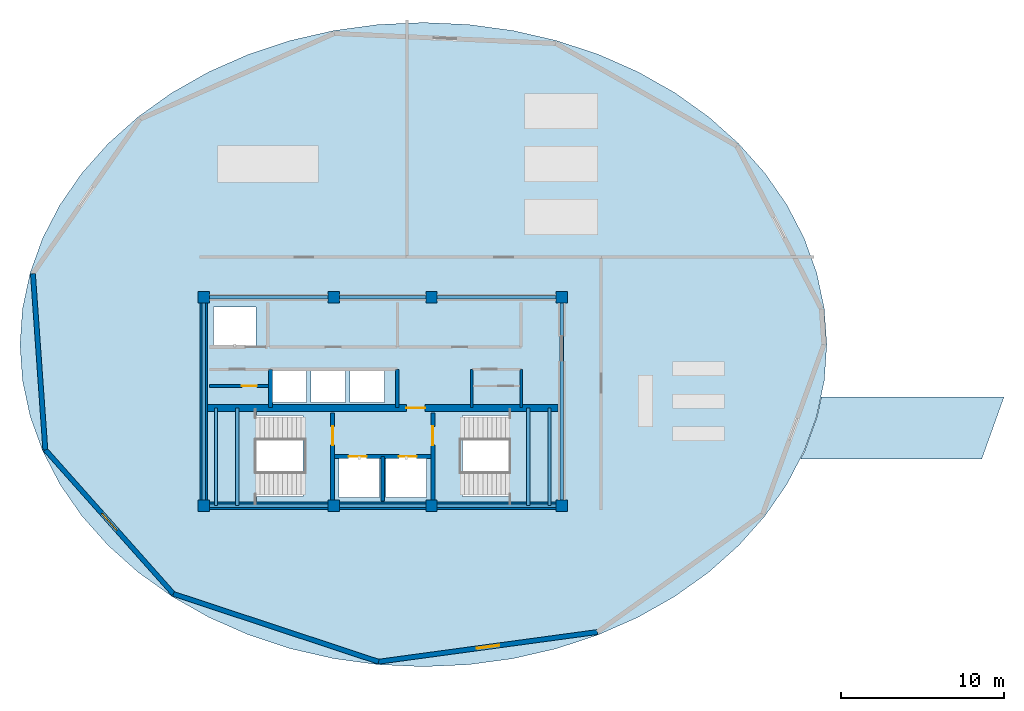
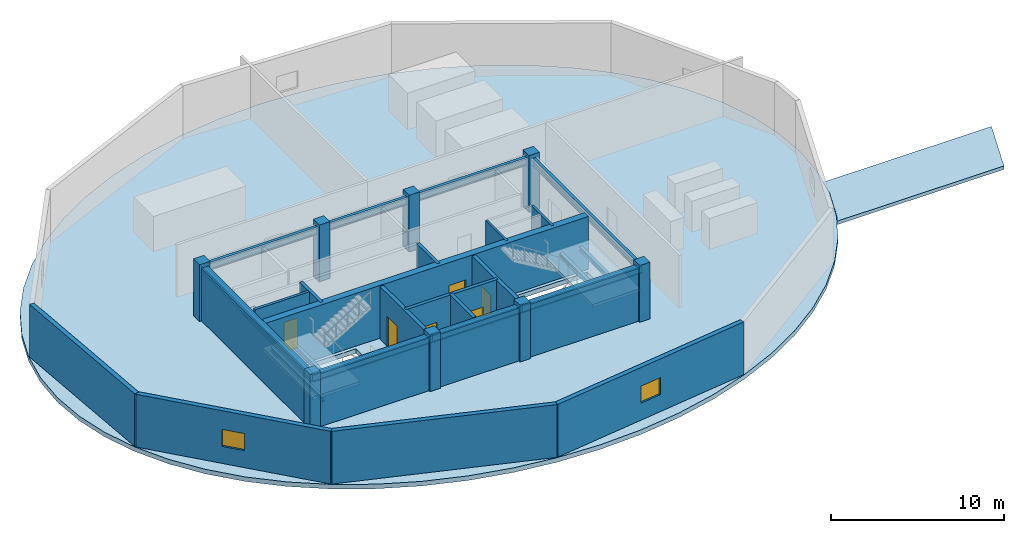
# One storey, part 1 of 5: 16 walls, 12 beams, 8 columns, 6 doors, 4 slabs, 2 windows, 8 openings, 2 elements without a shape of their own.
"""IFC4 building model written with IfcOpenShell, lengths in metres."""

from ifc_helpers import new_model, si_unit, direction, frame, frame_2d, origin, origin_2d, place, context, subcontext, project, spatial, polyline, rectangle, i_section, outline, extrude, material, layer, layer_set, material_profile, profile_set, type_object, element, fill, aggregate, save


model = new_model("IFC4")

# Units and contexts
model_context = context("Model", 3, precision=1e-05, world=origin(), true_north=direction((0.0, 1.0)))
body_context = subcontext(model_context, "Body", "Model", "MODEL_VIEW")
ifc_project = project(units=[si_unit("LENGTHUNIT", "METRE"), si_unit("AREAUNIT", "SQUARE_METRE"), si_unit("VOLUMEUNIT", "CUBIC_METRE"), si_unit("PLANEANGLEUNIT", "RADIAN"), si_unit("MASSUNIT", "GRAM", prefix="KILO")], contexts=[model_context])

# Site, building, storey
site_placement = place(None, origin())
site = spatial("IfcSite", under=ifc_project, at=site_placement, CompositionType="ELEMENT")
building_placement = place(site_placement, origin())
building = spatial("IfcBuilding", under=site, at=building_placement, Name="Kazevale Care Tower and Concert Hall", CompositionType="ELEMENT")
storey_placement = place(building_placement, frame((0.0, 0.0, 292.800048828125)))
storey = spatial("IfcBuildingStorey", under=building, at=storey_placement, Name="L77", CompositionType="ELEMENT", Elevation=292.800048828125)

# Columns
ifc_material_1 = material(Name="Concrete C50", Category="concrete")
ifc_material_profile_1 = material_profile(ifc_material_1, rectangle(XDim=0.699951171875, YDim=0.699951171875, at=origin_2d()), Name="RC-SQ700")
ifc_profile_set_1 = profile_set([ifc_material_profile_1], Name="Concrete C50")
column_type = type_object("IfcColumnType", Name="Core Column SQ700 C50", PredefinedType="COLUMN", material=ifc_profile_set_1)
for number, where, z_axis, x_axis, name in (
    (1, (22.0, 23.60009765625, 0.0), (0.0, 0.0, 1.0), (1.0, 0.0, 0.0), "col:L77:CC-01"),
    (2, (30.0, 23.60009765625, 0.0), (0.0, 0.0, 1.0), (1.0, 0.0, 0.0), "col:L77:CC-02"),
    (3, (36.0, 23.60009765625, 0.0), (0.0, 0.0, 1.0), (1.0, 0.0, 0.0), "col:L77:CC-03"),
    (4, (44.0, 23.60009765625, 0.0), (0.0, 0.0, 1.0), (1.0, 0.0, 0.0), "col:L77:CC-04"),
    (5, (44.0, 36.39990234375, 0.0), (0.0, 0.0, 1.0), (1.0, 0.0, 0.0), "col:L77:CC-05"),
    (6, (36.0, 36.39990234375, 0.0), (0.0, 0.0, 1.0), (1.0, 0.0, 0.0), "col:L77:CC-06"),
    (7, (30.0, 36.39990234375, 0.0), (0.0, 0.0, 1.0), (1.0, 0.0, 0.0), "col:L77:CC-07"),
    (8, (22.0, 36.39990234375, 0.0), (0.0, 0.0, 1.0), (1.0, 0.0, 0.0), "col:L77:CC-08"),
):
    element("IfcColumn", number, at=place(storey_placement, frame(where, z_axis=z_axis, x_axis=x_axis)), inside=storey, type_object=column_type, Name=name, PredefinedType="COLUMN", context=body_context, shape_type="SweptSolid", body=[
        extrude(rectangle(XDim=0.699951171875, YDim=0.699951171875, at=origin_2d()), origin(), (0.0, 0.0, 1.0), 4.0),
    ])

# Beams
ifc_material_2 = material(Name="Steel ASTM A572 Gr 50", Category="steel")
ifc_material_profile_2 = material_profile(ifc_material_2, i_section(OverallWidth=0.202880859375, OverallDepth=0.302978515625, WebThickness=0.007568359375, FlangeThickness=0.01318359375, at=origin_2d()), Name="W310x60")
ifc_profile_set_2 = profile_set([ifc_material_profile_2], Name="Steel ASTM A572 Gr 50")
beam_type_1 = type_object("IfcBeamType", Name="Stair & Balcony Trimmer W310x60", PredefinedType="BEAM", material=ifc_profile_set_2)
for number, where, z_axis, x_axis, name in (
    (9, (22.75, 23.60009765625, 1.6484375), (0.0, 1.0, 0.0), (-1.0, 0.0, 0.0), "beam:L77:sttrim:ST1"),
    (10, (24.050048828125, 23.60009765625, 1.6484375), (0.0, 1.0, 0.0), (-1.0, 0.0, 0.0), "beam:L77:sttrim:ST1b"),
    (11, (41.949951171875, 23.60009765625, 1.6484375), (0.0, 1.0, 0.0), (-1.0, 0.0, 0.0), "beam:L77:sttrim:ST2"),
    (12, (43.25, 23.60009765625, 1.6484375), (0.0, 1.0, 0.0), (-1.0, 0.0, 0.0), "beam:L77:sttrim:ST2b"),
):
    element("IfcBeam", number, at=place(storey_placement, frame(where, z_axis=z_axis, x_axis=x_axis)), inside=storey, type_object=beam_type_1, Name=name, PredefinedType="BEAM", context=body_context, shape_type="SweptSolid", body=[
        extrude(i_section(OverallWidth=0.202880859375, OverallDepth=0.302978515625, WebThickness=0.007568359375, FlangeThickness=0.01318359375, at=origin_2d()), origin(), (0.0, 0.0, 1.0), 6.0),
    ])
ifc_material_profile_3 = material_profile(ifc_material_2, i_section(OverallWidth=0.208984375, OverallDepth=0.532958984375, WebThickness=0.01025390625, FlangeThickness=0.015625, at=origin_2d()), Name="W530x92")
ifc_profile_set_3 = profile_set([ifc_material_profile_3], Name="Steel ASTM A572 Gr 50")
beam_type_2 = type_object("IfcBeamType", Name="Upper Ring Beam W530x92", PredefinedType="BEAM", material=ifc_profile_set_3)
beam_1_placement = place(storey_placement, frame((22.0, 23.60009765625, 3.453369140625), z_axis=(1.0, 0.0, 0.0), x_axis=(0.0, 1.0, 0.0)))
element("IfcBeam", 13, at=beam_1_placement, inside=storey, type_object=beam_type_2, Name="beam:L77:drum:1", PredefinedType="BEAM", context=body_context, shape_type="SweptSolid", body=[
    extrude(i_section(OverallWidth=0.208984375, OverallDepth=0.532958984375, WebThickness=0.01025390625, FlangeThickness=0.015625, at=origin_2d()), origin(), (0.0, 0.0, 1.0), 8.0),
])
beam_2_placement = place(storey_placement, frame((30.0, 23.60009765625, 3.453369140625), z_axis=(1.0, 0.0, 0.0), x_axis=(0.0, 1.0, 0.0)))
element("IfcBeam", 14, at=beam_2_placement, inside=storey, type_object=beam_type_2, Name="beam:L77:drum:2", PredefinedType="BEAM", context=body_context, shape_type="SweptSolid", body=[
    extrude(i_section(OverallWidth=0.208984375, OverallDepth=0.532958984375, WebThickness=0.01025390625, FlangeThickness=0.015625, at=origin_2d()), origin(), (0.0, 0.0, 1.0), 6.0),
])
beam_3_placement = place(storey_placement, frame((36.0, 23.60009765625, 3.453369140625), z_axis=(1.0, 0.0, 0.0), x_axis=(0.0, 1.0, 0.0)))
element("IfcBeam", 15, at=beam_3_placement, inside=storey, type_object=beam_type_2, Name="beam:L77:drum:3", PredefinedType="BEAM", context=body_context, shape_type="SweptSolid", body=[
    extrude(i_section(OverallWidth=0.208984375, OverallDepth=0.532958984375, WebThickness=0.01025390625, FlangeThickness=0.015625, at=origin_2d()), origin(), (0.0, 0.0, 1.0), 8.0),
])
beam_4_placement = place(storey_placement, frame((44.0, 23.60009765625, 3.453369140625), z_axis=(0.0, 1.0, 0.0), x_axis=(-1.0, 0.0, 0.0)))
element("IfcBeam", 16, at=beam_4_placement, inside=storey, type_object=beam_type_2, Name="beam:L77:drum:4", PredefinedType="BEAM", context=body_context, shape_type="SweptSolid", body=[
    extrude(i_section(OverallWidth=0.208984375, OverallDepth=0.532958984375, WebThickness=0.01025390625, FlangeThickness=0.015625, at=origin_2d()), origin(), (0.0, 0.0, 1.0), 12.7998046875),
])
beam_5_placement = place(storey_placement, frame((44.0, 36.39990234375, 3.453369140625), z_axis=(-1.0, 0.0, 0.0), x_axis=(0.0, -1.0, 0.0)))
element("IfcBeam", 17, at=beam_5_placement, inside=storey, type_object=beam_type_2, Name="beam:L77:drum:5", PredefinedType="BEAM", context=body_context, shape_type="SweptSolid", body=[
    extrude(i_section(OverallWidth=0.208984375, OverallDepth=0.532958984375, WebThickness=0.01025390625, FlangeThickness=0.015625, at=origin_2d()), origin(), (0.0, 0.0, 1.0), 8.0),
])
beam_6_placement = place(storey_placement, frame((36.0, 36.39990234375, 3.453369140625), z_axis=(-1.0, 0.0, 0.0), x_axis=(0.0, -1.0, 0.0)))
element("IfcBeam", 18, at=beam_6_placement, inside=storey, type_object=beam_type_2, Name="beam:L77:drum:6", PredefinedType="BEAM", context=body_context, shape_type="SweptSolid", body=[
    extrude(i_section(OverallWidth=0.208984375, OverallDepth=0.532958984375, WebThickness=0.01025390625, FlangeThickness=0.015625, at=origin_2d()), origin(), (0.0, 0.0, 1.0), 6.0),
])
beam_7_placement = place(storey_placement, frame((30.0, 36.39990234375, 3.453369140625), z_axis=(-1.0, 0.0, 0.0), x_axis=(0.0, -1.0, 0.0)))
element("IfcBeam", 19, at=beam_7_placement, inside=storey, type_object=beam_type_2, Name="beam:L77:drum:7", PredefinedType="BEAM", context=body_context, shape_type="SweptSolid", body=[
    extrude(i_section(OverallWidth=0.208984375, OverallDepth=0.532958984375, WebThickness=0.01025390625, FlangeThickness=0.015625, at=origin_2d()), origin(), (0.0, 0.0, 1.0), 8.0),
])
beam_8_placement = place(storey_placement, frame((22.0, 36.39990234375, 3.453369140625), z_axis=(0.0, -1.0, 0.0), x_axis=(1.0, 0.0, 0.0)))
element("IfcBeam", 20, at=beam_8_placement, inside=storey, type_object=beam_type_2, Name="beam:L77:drum:8", PredefinedType="BEAM", context=body_context, shape_type="SweptSolid", body=[
    extrude(i_section(OverallWidth=0.208984375, OverallDepth=0.532958984375, WebThickness=0.01025390625, FlangeThickness=0.015625, at=origin_2d()), origin(), (0.0, 0.0, 1.0), 12.7998046875),
])

# Slab
ifc_material_3 = material(Name="Concrete C40", Category="concrete")
ifc_layer_1 = layer(ifc_material_3, 0.239990234375)
ifc_layer_set_1 = layer_set([ifc_layer_1], Name="Concrete C40")
slab_type_1 = type_object("IfcSlabType", Name="Podium and Tower Roof Slab 240", PredefinedType="ROOF", material=ifc_layer_set_1)
slab_1_placement = place(storey_placement, frame((0.0, 0.0, -0.320068359375)))
element("IfcSlab", 21, at=slab_1_placement, inside=storey, type_object=slab_type_1, Name="slab:L77:roof_lobe:1", PredefinedType="ROOF", context=body_context, shape_type="SweptSolid", body=[
    extrude(outline(polyline([(71.193115234375, 30.280029296875), (59.9609375, 30.280029296875), (59.70703125, 29.0859375), (58.93603515625, 26.947998046875), (58.68798828125, 26.469970703125), (69.827880859375, 26.469970703125), (71.193115234375, 30.280029296875)])), origin(), (0.0, 0.0, 1.0), 0.239990234375),
])

# Stair, slab
stair_type = type_object("IfcStairType", Name="Exit Stair Assembly ST1-C", PredefinedType="HALF_TURN_STAIR", material=ifc_material_3)
stair_1_placement = place(storey_placement, origin())
stair_1 = element("IfcStair", 22, at=stair_1_placement, inside=storey, type_object=stair_type, Name="stair:L77:ST1", PredefinedType="HALF_TURN_STAIR")
ifc_layer_2 = layer(ifc_material_3, 0.199951171875)
ifc_layer_set_2 = layer_set([ifc_layer_2], Name="Concrete C40")
slab_type_2 = type_object("IfcSlabType", Name="Stair Half-Landing Slab ST1-C", PredefinedType="LANDING", material=ifc_layer_set_2)
slab_2_placement = place(storey_placement, frame((0.0, 0.0, 1.800048828125)))
slab_2 = element("IfcSlab", 23, at=slab_2_placement, type_object=slab_type_2, Name="ST1-C landing 1", PredefinedType="LANDING", context=body_context, shape_type="SweptSolid", body=[
    extrude(outline(polyline([(22.050048828125, 23.699951171875), (25.25, 23.699951171875), (25.25, 29.5), (22.050048828125, 29.5), (22.050048828125, 23.699951171875)])), origin(), (0.0, 0.0, 1.0), 0.199951171875),
])
aggregate(stair_1, [slab_2])

stair_2_placement = place(storey_placement, origin())
stair_2 = element("IfcStair", 24, at=stair_2_placement, inside=storey, type_object=stair_type, Name="stair:L77:ST2", PredefinedType="HALF_TURN_STAIR")
slab_3_placement = place(storey_placement, frame((0.0, 0.0, 1.800048828125)))
slab_3 = element("IfcSlab", 25, at=slab_3_placement, type_object=slab_type_2, Name="ST1-C landing 1", PredefinedType="LANDING", context=body_context, shape_type="SweptSolid", body=[
    extrude(outline(polyline([(40.75, 23.699951171875), (43.949951171875, 23.699951171875), (43.949951171875, 29.5), (40.75, 29.5), (40.75, 23.699951171875)])), origin(), (0.0, 0.0, 1.0), 0.199951171875),
])
aggregate(stair_2, [slab_3])

# Slab
ifc_layer_3 = layer(ifc_material_1, 0.320068359375)
ifc_layer_set_3 = layer_set([ifc_layer_3], Name="Concrete C50")
slab_type_3 = type_object("IfcSlabType", Name="Transfer & Refuge Floor Slab 320", PredefinedType="FLOOR", material=ifc_layer_set_3)
slab_4_placement = place(storey_placement, frame((0.0, 0.0, -0.320068359375)))
element("IfcSlab", 26, at=slab_4_placement, inside=storey, type_object=slab_type_3, Name="slab:L77:tw:1", PredefinedType="FLOOR", context=body_context, shape_type="SweptSolid", body=[
    extrude(outline(polyline([(60.300048828125, 33.5), (60.14404296875, 35.716796875), (59.67822265625, 37.906005859375), (58.908203125, 40.03955078125), (57.843994140625, 42.0908203125), (56.498779296875, 44.0341796875), (54.889404296875, 45.84521484375), (53.0361328125, 47.500732421875), (50.96240234375, 48.980224609375), (48.6943359375, 50.26513671875), (46.26025390625, 51.339111328125), (43.69091796875, 52.18896484375), (41.0185546875, 52.8037109375), (38.276611328125, 53.175537109375), (35.5, 53.300048828125), (32.723388671875, 53.175537109375), (29.9814453125, 52.8037109375), (27.30908203125, 52.18896484375), (24.73974609375, 51.339111328125), (22.3056640625, 50.26513671875), (20.03759765625, 48.980224609375), (17.9638671875, 47.500732421875), (16.110595703125, 45.84521484375), (14.501220703125, 44.0341796875), (13.156005859375, 42.0908203125), (12.091796875, 40.03955078125), (11.32177734375, 37.906005859375), (10.85595703125, 35.716796875), (10.699951171875, 33.5), (10.85595703125, 31.283203125), (11.32177734375, 29.093994140625), (12.091796875, 26.96044921875), (13.156005859375, 24.9091796875), (14.501220703125, 22.9658203125), (16.110595703125, 21.15478515625), (17.9638671875, 19.499267578125), (20.03759765625, 18.019775390625), (22.3056640625, 16.73486328125), (24.73974609375, 15.660888671875), (27.30908203125, 14.81103515625), (29.9814453125, 14.1962890625), (32.723388671875, 13.824462890625), (35.5, 13.699951171875), (38.276611328125, 13.824462890625), (41.0185546875, 14.1962890625), (43.69091796875, 14.81103515625), (46.26025390625, 15.660888671875), (48.6943359375, 16.73486328125), (50.96240234375, 18.019775390625), (53.0361328125, 19.499267578125), (54.889404296875, 21.15478515625), (56.498779296875, 22.9658203125), (57.843994140625, 24.9091796875), (58.908203125, 26.96044921875), (59.67822265625, 29.093994140625), (60.14404296875, 31.283203125), (60.300048828125, 33.5)]), holes=[polyline([(22.449951171875, 24.14990234375), (28.110107421875, 24.14990234375), (28.110107421875, 29.14990234375), (22.449951171875, 29.14990234375), (22.449951171875, 24.14990234375)]), polyline([(37.889892578125, 24.14990234375), (43.550048828125, 24.14990234375), (43.550048828125, 29.14990234375), (37.889892578125, 29.14990234375), (37.889892578125, 24.14990234375)]), polyline([(30.300048828125, 24.10009765625), (32.800048828125, 24.10009765625), (32.800048828125, 26.60009765625), (30.300048828125, 26.60009765625), (30.300048828125, 24.10009765625)]), polyline([(33.199951171875, 24.10009765625), (35.699951171875, 24.10009765625), (35.699951171875, 26.60009765625), (33.199951171875, 26.60009765625), (33.199951171875, 24.10009765625)]), polyline([(22.60009765625, 33.39990234375), (25.199951171875, 33.39990234375), (25.199951171875, 35.800048828125), (22.60009765625, 35.800048828125), (22.60009765625, 33.39990234375)]), polyline([(26.199951171875, 29.949951171875), (28.300048828125, 29.949951171875), (28.300048828125, 31.949951171875), (26.199951171875, 31.949951171875), (26.199951171875, 29.949951171875)]), polyline([(28.60009765625, 29.949951171875), (30.699951171875, 29.949951171875), (30.699951171875, 31.949951171875), (28.60009765625, 31.949951171875), (28.60009765625, 29.949951171875)]), polyline([(31.0, 29.949951171875), (33.10009765625, 29.949951171875), (33.10009765625, 31.949951171875), (31.0, 31.949951171875), (31.0, 29.949951171875)])]), origin(), (0.0, 0.0, 1.0), 0.320068359375),
])

# Walls
ifc_material_4 = material(Name="Acoustic Gypsum on Steel Stud", Category="steel")
ifc_layer_4 = layer(ifc_material_4, 0.139892578125)
ifc_layer_set_4 = layer_set([ifc_layer_4], Name="Acoustic Gypsum on Steel Stud")
wall_type_1 = type_object("IfcWallType", Name="Acoustic Care & Suite Partition 140", PredefinedType="PARTITIONING", material=ifc_layer_set_4)
for number, where, z_axis, x_axis, name in (
    (27, (38.47998046875, 29.6201171875, 0.0), (0.0, 0.0, 1.0), (0.0, 1.0, 0.0), "wall:L77:kc_ew"),
    (28, (41.52001953125, 29.6201171875, 0.0), (0.0, 0.0, 1.0), (0.0, 1.0, 0.0), "wall:L77:kc_ee"),
):
    element("IfcWall", number, at=place(storey_placement, frame(where, z_axis=z_axis, x_axis=x_axis)), inside=storey, type_object=wall_type_1, Name=name, PredefinedType="PARTITIONING", context=body_context, shape_type="SweptSolid", body=[
        extrude(rectangle(XDim=2.35986328125, YDim=0.139892578125, at=frame_2d((1.179931640625, 0.0))), origin(), (0.0, 0.0, 1.0), 3.719970703125),
    ])
ifc_layer_5 = layer(ifc_material_1, 0.449951171875)
ifc_layer_set_5 = layer_set([ifc_layer_5], Name="Concrete C50")
wall_type_2 = type_object("IfcWallType", Name="Core Shear Wall 450 C50", PredefinedType="SHEAR", material=ifc_layer_set_5)
wall_1_placement = place(storey_placement, frame((21.77490234375, 23.60009765625, 0.0), z_axis=(0.0, 0.0, 1.0), x_axis=(1.0, 0.0, 0.0)))
element("IfcWall", 29, at=wall_1_placement, inside=storey, type_object=wall_type_2, Name="wall:L77:core:S", PredefinedType="SHEAR", context=body_context, shape_type="SweptSolid", body=[
    extrude(rectangle(XDim=22.4501953125, YDim=0.449951171875, at=frame_2d((11.22509765625, 0.0))), origin(), (0.0, 0.0, 1.0), 3.719970703125),
])
wall_2_placement = place(storey_placement, frame((22.0, 23.824951171875, 0.0), z_axis=(0.0, 0.0, 1.0), x_axis=(0.0, 1.0, 0.0)))
element("IfcWall", 30, at=wall_2_placement, inside=storey, type_object=wall_type_2, Name="wall:L77:core:W", PredefinedType="SHEAR", context=body_context, shape_type="SweptSolid", body=[
    extrude(rectangle(XDim=12.35009765625, YDim=0.449951171875, at=frame_2d((6.175048828125, 0.0))), origin(), (0.0, 0.0, 1.0), 3.719970703125),
])

# Wall, opening, door
wall_3_placement = place(storey_placement, frame((22.22509765625, 29.60009765625, 0.0), z_axis=(0.0, 0.0, 1.0), x_axis=(1.0, 0.0, 0.0)))
wall_3 = element("IfcWall", 31, at=wall_3_placement, inside=storey, type_object=wall_type_2, Name="wall:L77:core:M", PredefinedType="SHEAR", context=body_context, shape_type="SweptSolid", body=[
    extrude(rectangle(XDim=21.5498046875, YDim=0.449951171875, at=frame_2d((10.77490234375, 0.0))), origin(), (0.0, 0.0, 1.0), 3.719970703125),
])
opening_1_placement = place(wall_3_placement, frame((12.22509765625, 0.0, 0.0)))
opening_1 = element("IfcOpeningElement", 32, at=opening_1_placement, cuts=wall_3, Name="Opening FD-90", PredefinedType="OPENING", context=body_context, shape_type="SweptSolid", body=[
    extrude(rectangle(XDim=1.14990234375, YDim=2.10009765625, at=frame_2d((0.574951171875, 1.050048828125))), frame((0.0, 0.23486328125, 0.0), z_axis=(0.0, -1.0, 0.0), x_axis=(1.0, 0.0, 0.0)), (0.0, 0.0, 1.0), 0.469970703125),
])
door_type_1 = type_object("IfcDoorType", Name="Pressurized Stair & Lobby Fire Door 1150x2100", OperationType="NOTDEFINED", PredefinedType="DOOR", material=ifc_material_2)
door_1_placement = place(opening_1_placement, origin())
door_1 = element("IfcDoor", 33, at=door_1_placement, inside=storey, type_object=door_type_1, Name="door:L77:ff_to_pax", OperationType="SINGLE_SWING_LEFT", OverallHeight=2.10009765625, OverallWidth=1.14990234375, PredefinedType="DOOR", context=body_context, shape_type="SweptSolid", body=[
    extrude(rectangle(XDim=1.14990234375, YDim=2.10009765625, at=frame_2d((0.574951171875, 1.050048828125))), frame((0.0, 0.02490234375, 0.0), z_axis=(0.0, -1.0, 0.0), x_axis=(1.0, 0.0, 0.0)), (0.0, 0.0, 1.0), 0.050048828125),
])
fill(opening_1, door_1)

# Wall, opening, window
ifc_material_5 = material(Name="Concrete C40 with Honed Limestone Cladding", Category="masonry")
ifc_layer_6 = layer(ifc_material_5, 0.300048828125)
ifc_layer_set_6 = layer_set([ifc_layer_6], Name="Concrete C40 with Honed Limestone Cladding")
wall_type_3 = type_object("IfcWallType", Name="Crown Drum Louvred Stone Wall 300", PredefinedType="STANDARD", material=ifc_layer_set_6)
wall_4_placement = place(storey_placement, frame((46.196044921875, 15.8291015625, 0.0), z_axis=(0.0, 0.0, 1.0), x_axis=(-0.990927056791, -0.134400774248, 0.0)))
wall_4 = element("IfcWall", 34, at=wall_4_placement, inside=storey, type_object=wall_type_3, Name="wall:L77:drum:03", PredefinedType="STANDARD", context=body_context, shape_type="SweptSolid", body=[
    extrude(rectangle(XDim=13.580322265625, YDim=0.300048828125, at=frame_2d((6.7900390625, 0.0))), origin(), (0.0, 0.0, 1.0), 3.719970703125),
])
opening_2_placement = place(wall_4_placement, frame((6.090087890625, 0.0, 1.199951171875)))
opening_2 = element("IfcOpeningElement", 35, at=opening_2_placement, cuts=wall_4, Name="Opening WIN-4", PredefinedType="OPENING", context=body_context, shape_type="SweptSolid", body=[
    extrude(rectangle(XDim=1.39990234375, YDim=1.199951171875, at=frame_2d((0.699951171875, 0.60009765625))), frame((0.0, 0.159912109375, 0.0), z_axis=(0.0, -1.0, 0.0), x_axis=(1.0, 0.0, 0.0)), (0.0, 0.0, 1.0), 0.320068359375),
])
ifc_material_6 = material(Name="Aluminium 6063-T6", Category="aluminium")
window_type = type_object("IfcWindowType", Name="Crown Plant Louvred Window 1400x1200", PartitioningType="SINGLE_PANEL", PredefinedType="WINDOW", material=ifc_material_6)
window_1_placement = place(opening_2_placement, origin())
window_1 = element("IfcWindow", 36, at=window_1_placement, inside=storey, type_object=window_type, Name="win:L77:drum:03", OverallHeight=1.199951171875, OverallWidth=1.39990234375, PartitioningType="SINGLE_PANEL", PredefinedType="WINDOW", context=body_context, shape_type="SweptSolid", body=[
    extrude(rectangle(XDim=1.39990234375, YDim=1.199951171875, at=frame_2d((0.699951171875, 0.60009765625))), frame((0.0, 0.030029296875, 0.0), z_axis=(0.0, -1.0, 0.0), x_axis=(1.0, 0.0, 0.0)), (0.0, 0.0, 1.0), 0.06005859375),
])
fill(opening_2, window_1)

# Wall
wall_5_placement = place(storey_placement, frame((32.739013671875, 14.00390625, 0.0), z_axis=(0.0, 0.0, 1.0), x_axis=(-0.949436386168, 0.313959469709, 0.0)))
element("IfcWall", 37, at=wall_5_placement, inside=storey, type_object=wall_type_3, Name="wall:L77:drum:04", PredefinedType="STANDARD", context=body_context, shape_type="SweptSolid", body=[
    extrude(rectangle(XDim=13.2763671875, YDim=0.300048828125, at=frame_2d((6.63818359375, 0.0))), origin(), (0.0, 0.0, 1.0), 3.719970703125),
])

# Wall, opening, window
wall_6_placement = place(storey_placement, frame((20.134033203125, 18.172119140625, 0.0), z_axis=(0.0, 0.0, 1.0), x_axis=(-0.664394513906, 0.747382050822, 0.0)))
wall_6 = element("IfcWall", 38, at=wall_6_placement, inside=storey, type_object=wall_type_3, Name="wall:L77:drum:05", PredefinedType="STANDARD", context=body_context, shape_type="SweptSolid", body=[
    extrude(rectangle(XDim=11.85595703125, YDim=0.300048828125, at=frame_2d((5.927978515625, 0.0))), origin(), (0.0, 0.0, 1.0), 3.719970703125),
])
opening_3_placement = place(wall_6_placement, frame((5.22802734375, 0.0, 1.199951171875)))
opening_3 = element("IfcOpeningElement", 39, at=opening_3_placement, cuts=wall_6, Name="Opening WIN-4", PredefinedType="OPENING", context=body_context, shape_type="SweptSolid", body=[
    extrude(rectangle(XDim=1.39990234375, YDim=1.199951171875, at=frame_2d((0.699951171875, 0.60009765625))), frame((0.0, 0.159912109375, 0.0), z_axis=(0.0, -1.0, 0.0), x_axis=(1.0, 0.0, 0.0)), (0.0, 0.0, 1.0), 0.320068359375),
])
window_2_placement = place(opening_3_placement, origin())
window_2 = element("IfcWindow", 40, at=window_2_placement, inside=storey, type_object=window_type, Name="win:L77:drum:05", OverallHeight=1.199951171875, OverallWidth=1.39990234375, PartitioningType="SINGLE_PANEL", PredefinedType="WINDOW", context=body_context, shape_type="SweptSolid", body=[
    extrude(rectangle(XDim=1.39990234375, YDim=1.199951171875, at=frame_2d((0.699951171875, 0.60009765625))), frame((0.0, 0.030029296875, 0.0), z_axis=(0.0, -1.0, 0.0), x_axis=(1.0, 0.0, 0.0)), (0.0, 0.0, 1.0), 0.06005859375),
])
fill(opening_3, window_2)

# Wall
wall_7_placement = place(storey_placement, frame((12.257080078125, 27.032958984375, 0.0), z_axis=(0.0, 0.0, 1.0), x_axis=(-0.070228374331, 0.99753093959, 0.0)))
element("IfcWall", 41, at=wall_7_placement, inside=storey, type_object=wall_type_3, Name="wall:L77:drum:06", PredefinedType="STANDARD", context=body_context, shape_type="SweptSolid", body=[
    extrude(rectangle(XDim=10.849853515625, YDim=0.300048828125, at=frame_2d((5.4248046875, 0.0))), origin(), (0.0, 0.0, 1.0), 3.719970703125),
])

# Wall, openings, doors
ifc_layer_7 = layer(ifc_material_3, 0.219970703125)
ifc_layer_set_7 = layer_set([ifc_layer_7], Name="Concrete C40")
wall_type_4 = type_object("IfcWallType", Name="Elevator Hoistway Shaft Wall 220", PredefinedType="SOLIDWALL", material=ifc_layer_set_7)
wall_8_placement = place(storey_placement, frame((29.919921875, 26.6201171875, 0.0), z_axis=(0.0, 0.0, 1.0), x_axis=(1.0, 0.0, 0.0)))
wall_8 = element("IfcWall", 42, at=wall_8_placement, inside=storey, type_object=wall_type_4, Name="wall:L77:c_ffl_n", PredefinedType="SOLIDWALL", context=body_context, shape_type="SweptSolid", body=[
    extrude(rectangle(XDim=6.16015625, YDim=0.219970703125, at=frame_2d((3.080078125, 0.0))), origin(), (0.0, 0.0, 1.0), 3.719970703125),
])
opening_4_placement = place(wall_8_placement, frame((0.989990234375, 0.0, 0.0)))
opening_4 = element("IfcOpeningElement", 43, at=opening_4_placement, cuts=wall_8, Name="Opening LD-FF", PredefinedType="OPENING", context=body_context, shape_type="SweptSolid", body=[
    extrude(rectangle(XDim=1.10009765625, YDim=2.10009765625, at=frame_2d((0.550048828125, 1.050048828125))), frame((0.0, 0.119873046875, 0.0), z_axis=(0.0, -1.0, 0.0), x_axis=(1.0, 0.0, 0.0)), (0.0, 0.0, 1.0), 0.239990234375),
])
opening_5_placement = place(wall_8_placement, frame((4.070068359375, 0.0, 0.0)))
opening_5 = element("IfcOpeningElement", 44, at=opening_5_placement, cuts=wall_8, Name="Opening LD-FF", PredefinedType="OPENING", context=body_context, shape_type="SweptSolid", body=[
    extrude(rectangle(XDim=1.10009765625, YDim=2.10009765625, at=frame_2d((0.550048828125, 1.050048828125))), frame((0.0, 0.119873046875, 0.0), z_axis=(0.0, -1.0, 0.0), x_axis=(1.0, 0.0, 0.0)), (0.0, 0.0, 1.0), 0.239990234375),
])
ifc_material_7 = material(Name="Stainless Steel 316", Category="steel")
door_type_2 = type_object("IfcDoorType", Name="Emergency Lift Sliding Landing Door 1100x2100", OperationType="NOTDEFINED", PredefinedType="DOOR", material=ifc_material_7)
door_2_placement = place(opening_4_placement, origin())
door_2 = element("IfcDoor", 45, at=door_2_placement, inside=storey, type_object=door_type_2, Name="door:L77:ld_ffl1", OperationType="SLIDING_TO_LEFT", OverallHeight=2.10009765625, OverallWidth=1.10009765625, PredefinedType="DOOR", context=body_context, shape_type="SweptSolid", body=[
    extrude(rectangle(XDim=1.10009765625, YDim=2.10009765625, at=frame_2d((0.550048828125, 1.050048828125))), frame((0.0, 0.02490234375, 0.0), z_axis=(0.0, -1.0, 0.0), x_axis=(1.0, 0.0, 0.0)), (0.0, 0.0, 1.0), 0.050048828125),
])
fill(opening_4, door_2)
door_3_placement = place(opening_5_placement, origin())
door_3 = element("IfcDoor", 46, at=door_3_placement, inside=storey, type_object=door_type_2, Name="door:L77:ld_ffl2", OperationType="SLIDING_TO_RIGHT", OverallHeight=2.10009765625, OverallWidth=1.10009765625, PredefinedType="DOOR", context=body_context, shape_type="SweptSolid", body=[
    extrude(rectangle(XDim=1.10009765625, YDim=2.10009765625, at=frame_2d((0.550048828125, 1.050048828125))), frame((0.0, 0.02490234375, 0.0), z_axis=(0.0, -1.0, 0.0), x_axis=(1.0, 0.0, 0.0)), (0.0, 0.0, 1.0), 0.050048828125),
])
fill(opening_5, door_3)

# Walls
wall_9_placement = place(storey_placement, frame((33.0, 23.89990234375, 0.0), z_axis=(0.0, 0.0, 1.0), x_axis=(0.0, 1.0, 0.0)))
element("IfcWall", 47, at=wall_9_placement, inside=storey, type_object=wall_type_4, Name="wall:L77:c_ffl_m", PredefinedType="SOLIDWALL", context=body_context, shape_type="SweptSolid", body=[
    extrude(rectangle(XDim=2.72021484375, YDim=0.219970703125, at=frame_2d((1.360107421875, 0.0))), origin(), (0.0, 0.0, 1.0), 3.719970703125),
])
for number, where, z_axis, x_axis, name in (
    (48, (26.10009765625, 29.6201171875, 0.0), (0.0, 0.0, 1.0), (0.0, 1.0, 0.0), "wall:L77:c_ph_w"),
    (49, (33.89990234375, 29.6201171875, 0.0), (0.0, 0.0, 1.0), (0.0, 1.0, 0.0), "wall:L77:c_ph_e"),
):
    element("IfcWall", number, at=place(storey_placement, frame(where, z_axis=z_axis, x_axis=x_axis)), inside=storey, type_object=wall_type_4, Name=name, PredefinedType="SOLIDWALL", context=body_context, shape_type="SweptSolid", body=[
        extrude(rectangle(XDim=2.35986328125, YDim=0.219970703125, at=frame_2d((1.179931640625, 0.0))), origin(), (0.0, 0.0, 1.0), 3.719970703125),
    ])

# Wall, opening, door
ifc_material_8 = material(Name="Concrete C40 and Acoustic Gypsum", Category="concrete")
ifc_layer_8 = layer(ifc_material_8, 0.179931640625)
ifc_layer_set_8 = layer_set([ifc_layer_8], Name="Concrete C40 and Acoustic Gypsum")
wall_type_5 = type_object("IfcWallType", Name="Fire-Rated Corridor & Party Wall 180", PredefinedType="PARTITIONING", material=ifc_layer_set_8)
wall_10_placement = place(storey_placement, frame((22.35009765625, 30.949951171875, 0.0), z_axis=(0.0, 0.0, 1.0), x_axis=(1.0, 0.0, 0.0)))
wall_10 = element("IfcWall", 50, at=wall_10_placement, inside=storey, type_object=wall_type_5, Name="wall:L77:kc_wm", PredefinedType="PARTITIONING", context=body_context, shape_type="SweptSolid", body=[
    extrude(rectangle(XDim=3.75, YDim=0.179931640625, at=frame_2d((1.875, 0.0))), origin(), (0.0, 0.0, 1.0), 3.719970703125),
])
opening_6_placement = place(wall_10_placement, frame((1.988037109375, 0.0, 0.0)))
opening_6 = element("IfcOpeningElement", 51, at=opening_6_placement, cuts=wall_10, Name="Opening ID-900", PredefinedType="OPENING", context=body_context, shape_type="SweptSolid", body=[
    extrude(rectangle(XDim=0.919921875, YDim=2.10009765625, at=frame_2d((0.4599609375, 1.050048828125))), frame((0.0, 0.099853515625, 0.0), z_axis=(0.0, -1.0, 0.0), x_axis=(1.0, 0.0, 0.0)), (0.0, 0.0, 1.0), 0.199951171875),
])
ifc_material_9 = material(Name="Oak Timber Fire Leaf", Category="wood")
door_type_3 = type_object("IfcDoorType", Name="Bathroom & Service Door 920x2100", OperationType="NOTDEFINED", PredefinedType="DOOR", material=ifc_material_9)
door_4_placement = place(opening_6_placement, origin())
door_4 = element("IfcDoor", 52, at=door_4_placement, inside=storey, type_object=door_type_3, Name="door:L77:d_kcwb", OperationType="SINGLE_SWING_RIGHT", OverallHeight=2.10009765625, OverallWidth=0.919921875, PredefinedType="DOOR", context=body_context, shape_type="SweptSolid", body=[
    extrude(rectangle(XDim=0.919921875, YDim=2.10009765625, at=frame_2d((0.4599609375, 1.050048828125))), frame((0.0, 0.02490234375, 0.0), z_axis=(0.0, -1.0, 0.0), x_axis=(1.0, 0.0, 0.0)), (0.0, 0.0, 1.0), 0.050048828125),
])
fill(opening_6, door_4)

ifc_layer_9 = layer(ifc_material_3, 0.25)
ifc_layer_set_9 = layer_set([ifc_layer_9], Name="Concrete C40")
wall_type_6 = type_object("IfcWallType", Name="Pressurized Stair Shaft Wall 250", PredefinedType="SOLIDWALL", material=ifc_layer_set_9)
wall_11_placement = place(storey_placement, frame((29.919921875, 23.89990234375, 0.0), z_axis=(0.0, 0.0, 1.0), x_axis=(0.0, 1.0, 0.0)))
wall_11 = element("IfcWall", 53, at=wall_11_placement, inside=storey, type_object=wall_type_6, Name="wall:L77:c_st1_e", PredefinedType="SOLIDWALL", context=body_context, shape_type="SweptSolid", body=[
    extrude(rectangle(XDim=5.400146484375, YDim=0.25, at=frame_2d((2.7001953125, 0.0))), origin(), (0.0, 0.0, 1.0), 3.719970703125),
])
opening_7_placement = place(wall_11_placement, frame((3.4208984375, 0.0, 0.0)))
opening_7 = element("IfcOpeningElement", 54, at=opening_7_placement, cuts=wall_11, Name="Opening FD-90", PredefinedType="OPENING", context=body_context, shape_type="SweptSolid", body=[
    extrude(rectangle(XDim=1.14990234375, YDim=2.10009765625, at=frame_2d((0.574951171875, 1.050048828125))), frame((0.0, 0.135009765625, 0.0), z_axis=(0.0, -1.0, 0.0), x_axis=(1.0, 0.0, 0.0)), (0.0, 0.0, 1.0), 0.27001953125),
])
door_5_placement = place(opening_7_placement, origin())
door_5 = element("IfcDoor", 55, at=door_5_placement, inside=storey, type_object=door_type_1, Name="door:L77:st1", OperationType="SINGLE_SWING_RIGHT", OverallHeight=2.10009765625, OverallWidth=1.14990234375, PredefinedType="DOOR", context=body_context, shape_type="SweptSolid", body=[
    extrude(rectangle(XDim=1.14990234375, YDim=2.10009765625, at=frame_2d((0.574951171875, 1.050048828125))), frame((0.0, 0.02490234375, 0.0), z_axis=(0.0, -1.0, 0.0), x_axis=(1.0, 0.0, 0.0)), (0.0, 0.0, 1.0), 0.050048828125),
])
fill(opening_7, door_5)

wall_12_placement = place(storey_placement, frame((36.080078125, 23.89990234375, 0.0), z_axis=(0.0, 0.0, 1.0), x_axis=(0.0, 1.0, 0.0)))
wall_12 = element("IfcWall", 56, at=wall_12_placement, inside=storey, type_object=wall_type_6, Name="wall:L77:c_st2_w", PredefinedType="SOLIDWALL", context=body_context, shape_type="SweptSolid", body=[
    extrude(rectangle(XDim=5.400146484375, YDim=0.25, at=frame_2d((2.7001953125, 0.0))), origin(), (0.0, 0.0, 1.0), 3.719970703125),
])
opening_8_placement = place(wall_12_placement, frame((3.4208984375, 0.0, 0.0)))
opening_8 = element("IfcOpeningElement", 57, at=opening_8_placement, cuts=wall_12, Name="Opening FD-90", PredefinedType="OPENING", context=body_context, shape_type="SweptSolid", body=[
    extrude(rectangle(XDim=1.14990234375, YDim=2.10009765625, at=frame_2d((0.574951171875, 1.050048828125))), frame((0.0, 0.135009765625, 0.0), z_axis=(0.0, -1.0, 0.0), x_axis=(1.0, 0.0, 0.0)), (0.0, 0.0, 1.0), 0.27001953125),
])
door_6_placement = place(opening_8_placement, origin())
door_6 = element("IfcDoor", 58, at=door_6_placement, inside=storey, type_object=door_type_1, Name="door:L77:st2", OperationType="SINGLE_SWING_LEFT", OverallHeight=2.10009765625, OverallWidth=1.14990234375, PredefinedType="DOOR", context=body_context, shape_type="SweptSolid", body=[
    extrude(rectangle(XDim=1.14990234375, YDim=2.10009765625, at=frame_2d((0.574951171875, 1.050048828125))), frame((0.0, 0.02490234375, 0.0), z_axis=(0.0, -1.0, 0.0), x_axis=(1.0, 0.0, 0.0)), (0.0, 0.0, 1.0), 0.050048828125),
])
fill(opening_8, door_6)

save(model, "model.ifc")
